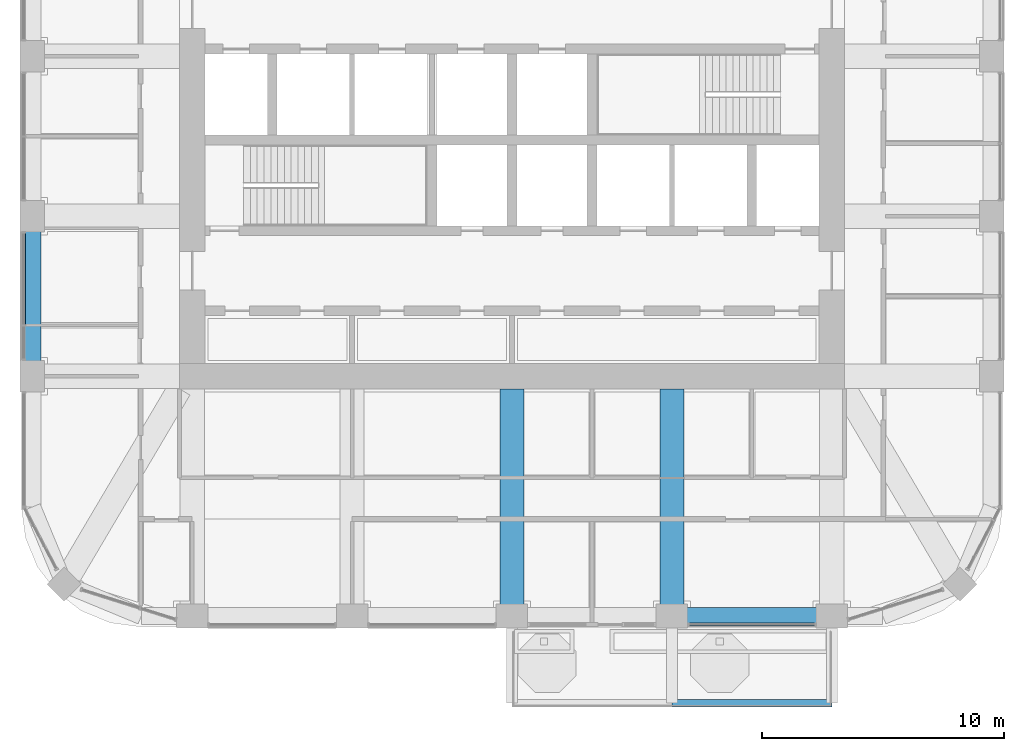
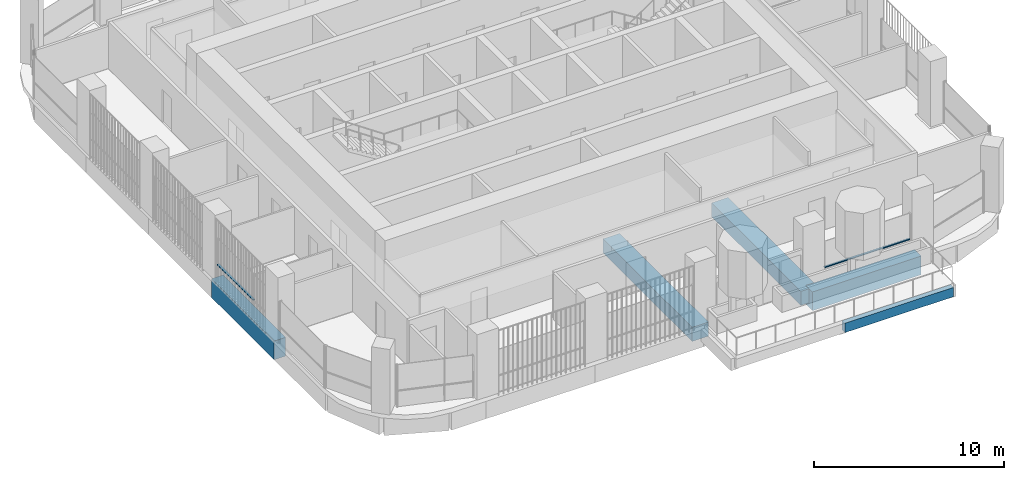
# One storey, part 3 of 21: 5 beams, 2 members, 2 elements without a shape of their own.
"""IFC4 building model written with IfcOpenShell, lengths in metres."""

import ifcopenshell
import ifcopenshell.guid

model = None  # the IFC model being written
_history = None  # IfcOwnerHistory: only IFC2X3 demands one
_inside = {}  # id of a spatial element -> (the spatial element, [elements in it])
_under = {}  # id of a project, library or spatial element -> (it, [spatial elements below it])
_declared = {}  # id of a project -> (the project, [libraries it declares])
_typed = {}  # id of a type object -> (the type object, [elements of that type])
_made_of = {}  # id of a material, layer set ... -> (it, [elements and type objects made of it])


def new_model(schema):
    """Start an empty IFC model of exactly this schema.

    Asked for "IFC4X3", IfcOpenShell would pick the latest addendum, in which some entities
    have other attributes; the version numbers below select the first issue.
    IFC2X3 requires an IfcOwnerHistory on every rooted entity: one is made here for all.
    """
    global model, _history
    if schema == "IFC4X3":
        model = ifcopenshell.file(schema_version=(4, 3, 0, 0))
    else:
        model = ifcopenshell.file(schema=schema)
    _inside.clear()
    _under.clear()
    _declared.clear()
    _typed.clear()
    _made_of.clear()
    _history = None
    if model.schema == "IFC2X3":
        org = make("IfcOrganization", Name="unknown")
        user = make(
            "IfcPersonAndOrganization",
            ThePerson=make("IfcPerson", FamilyName="unknown"),
            TheOrganization=org,
        )
        app = make(
            "IfcApplication",
            ApplicationDeveloper=org,
            Version="unknown",
            ApplicationFullName="unknown",
            ApplicationIdentifier="unknown",
        )
        _history = make(
            "IfcOwnerHistory",
            OwningUser=user,
            OwningApplication=app,
            ChangeAction="ADDED",
            CreationDate=0,
        )
    return model


def make(cls, **values):
    """One entity of the class cls with the attributes given. An attribute that is None is left unset."""
    return model.create_entity(
        cls, **{name: value for name, value in values.items() if value is not None}
    )


def rooted(cls, **values):
    """An entity with a GlobalId (a new one), such as an element, a storey or a relation."""
    return make(cls, GlobalId=ifcopenshell.guid.new(), OwnerHistory=_history, **values)


def si_unit(unit_type, name, prefix=None):
    """IfcSIUnit, for example si_unit("LENGTHUNIT", "METRE", prefix="MILLI")."""
    return make("IfcSIUnit", UnitType=unit_type, Prefix=prefix, Name=name)


def assignment(units):
    """IfcUnitAssignment: the units of a project."""
    return None if units is None else make("IfcUnitAssignment", Units=units)


def point(xyz):
    """IfcCartesianPoint."""
    return None if xyz is None else make("IfcCartesianPoint", Coordinates=xyz)


def direction(xyz):
    """IfcDirection."""
    return None if xyz is None else make("IfcDirection", DirectionRatios=xyz)


def frame(location, z_axis=None, x_axis=None):
    """IfcAxis2Placement3D, a coordinate frame: its origin and axes. An axis left out is left unset."""
    return make(
        "IfcAxis2Placement3D",
        Location=point(location),
        Axis=direction(z_axis),
        RefDirection=direction(x_axis),
    )


def frame_2d(location, x_axis=None):
    """IfcAxis2Placement2D, a coordinate frame in the plane: its origin and x axis."""
    return make(
        "IfcAxis2Placement2D", Location=point(location), RefDirection=direction(x_axis)
    )


def origin():
    """The frame at (0, 0, 0) with its axes left unset."""
    return frame((0.0, 0.0, 0.0))


def origin_2d():
    """The frame at (0, 0) in the plane with its x axis left unset."""
    return frame_2d((0.0, 0.0))


def place(relative_to, where):
    """IfcLocalPlacement: puts the frame where relative to a parent placement (None: the world)."""
    return make(
        "IfcLocalPlacement", PlacementRelTo=relative_to, RelativePlacement=where
    )


def context(
    kind, dimensions, precision=None, world=None, true_north=None, identifier=None
):
    """IfcGeometricRepresentationContext, for example the 3D "Model" context."""
    return make(
        "IfcGeometricRepresentationContext",
        ContextIdentifier=identifier,
        ContextType=kind,
        CoordinateSpaceDimension=dimensions,
        Precision=precision,
        WorldCoordinateSystem=world,
        TrueNorth=true_north,
    )


def subcontext(parent, identifier, kind, view, scale=None):
    """IfcGeometricRepresentationSubContext, for example "Body" below "Model"."""
    return make(
        "IfcGeometricRepresentationSubContext",
        ContextIdentifier=identifier,
        ContextType=kind,
        ParentContext=parent,
        TargetScale=scale,
        TargetView=view,
    )


def project(units=None, contexts=None):
    """IfcProject with its units and contexts."""
    return rooted(
        "IfcProject",
        Name="project",
        RepresentationContexts=contexts,
        UnitsInContext=assignment(units),
    )


def spatial(cls, under=None, at=None, **own):
    """A site, building, storey or space (cls), placed at a placement, below another one or the project."""
    s = rooted(cls, ObjectPlacement=at, **own)
    if under is not None:
        _under.setdefault(under.id(), (under, []))[1].append(s)
    return s


def profile(cls, at=None, kind="AREA", **sizes):
    """A parametric profile (cls). Its sizes go by their IFC names, for example OverallWidth=200.0."""
    return make(cls, ProfileType=kind, Position=at, **sizes)


def rectangle(**sizes):
    """IfcRectangleProfileDef."""
    return profile("IfcRectangleProfileDef", **sizes)


def extrude(swept, where, along, depth):
    """IfcExtrudedAreaSolid: the profile swept, set in the frame where, extruded along a direction by depth."""
    return make(
        "IfcExtrudedAreaSolid",
        SweptArea=swept,
        Position=where,
        ExtrudedDirection=direction(along),
        Depth=depth,
    )


def shape(context_of_items, identifier, shape_type, items):
    """IfcShapeRepresentation: the items that make up one representation, for example the "Body"."""
    return make(
        "IfcShapeRepresentation",
        ContextOfItems=context_of_items,
        RepresentationIdentifier=identifier,
        RepresentationType=shape_type,
        Items=items,
    )


def material(Name=None, Category=None):
    """IfcMaterial."""
    return make("IfcMaterial", Name=Name, Category=Category)


def material_profile(
    of_material, cross_section, Name=None, Category=None, Priority=None
):
    """IfcMaterialProfile: a cross section and its material."""
    return make(
        "IfcMaterialProfile",
        Name=Name,
        Material=of_material,
        Profile=cross_section,
        Priority=Priority,
        Category=Category,
    )


def profile_set(profiles, Name=None, composite=None):
    """IfcMaterialProfileSet."""
    return make(
        "IfcMaterialProfileSet",
        Name=Name,
        MaterialProfiles=profiles,
        CompositeProfile=composite,
    )


def made_of(thing, what):
    """Note that an element or type object is made of a material, layer set ...; save() writes the relation."""
    if what is not None:
        _made_of.setdefault(what.id(), (what, []))[1].append(thing)
    return thing


def type_object(cls, material=None, **own):
    """A type object (cls), such as IfcWallType, which elements share."""
    return made_of(rooted(cls, **own), material)


def element(
    cls,
    number,
    at=None,
    inside=None,
    cuts=None,
    type_object=None,
    material=None,
    context=None,
    identifier="Body",
    shape_type=None,
    held_by="IfcProductDefinitionShape",
    body=None,
    shapes=None,
    **own,
):
    """One element of the class cls, such as IfcWall. Its Tag is "e" and its number.

    at: its placement. inside: the storey or other place that contains it. cuts: it is an
    opening in that element (IfcRelVoidsElement). A single representation is given by context,
    identifier, shape_type and body (its items); several are given by shapes. held_by: the class
    of the entity that holds the representations. save() writes the other relations.
    """
    e = rooted(cls, Tag="e%d" % number, ObjectPlacement=at, **own)
    if body is not None:
        shapes = [shape(context, identifier, shape_type, body)]
    if shapes is not None:
        e.Representation = make(held_by, Representations=shapes)
    if inside is not None:
        _inside.setdefault(inside.id(), (inside, []))[1].append(e)
    if cuts is not None:
        rooted(
            "IfcRelVoidsElement", RelatingBuildingElement=cuts, RelatedOpeningElement=e
        )
    if type_object is not None:
        _typed.setdefault(type_object.id(), (type_object, []))[1].append(e)
    return made_of(e, material)


def aggregate(whole, parts):
    """IfcRelAggregates: a whole, such as a stair, and the parts it consists of."""
    return rooted("IfcRelAggregates", RelatingObject=whole, RelatedObjects=parts)


def save(model, path):
    """Write the relations noted so far, then the file.

    IfcRelAggregates (storeys below a building ...), IfcRelContainedInSpatialStructure (elements
    in a storey), IfcRelDefinesByType, IfcRelAssociatesMaterial and IfcRelDeclares: one each for
    every whole, place, type object, material and project.
    """
    for whole, parts in _under.values():
        aggregate(whole, parts)
    for where, things in _inside.values():
        rooted(
            "IfcRelContainedInSpatialStructure",
            RelatedElements=things,
            RelatingStructure=where,
        )
    for kind, things in _typed.values():
        rooted("IfcRelDefinesByType", RelatedObjects=things, RelatingType=kind)
    for what, things in _made_of.values():
        rooted("IfcRelAssociatesMaterial", RelatedObjects=things, RelatingMaterial=what)
    for by, libraries in _declared.values():
        rooted("IfcRelDeclares", RelatingContext=by, RelatedDefinitions=libraries)
    model.write(path)


model = new_model("IFC4")

# Units and contexts
model_context = context("Model", 3, precision=1e-05, world=origin(), true_north=direction((0.0, 1.0)))
body_context = subcontext(model_context, "Body", "Model", "MODEL_VIEW")
ifc_project = project(units=[si_unit("LENGTHUNIT", "METRE"), si_unit("AREAUNIT", "SQUARE_METRE"), si_unit("VOLUMEUNIT", "CUBIC_METRE"), si_unit("PLANEANGLEUNIT", "RADIAN"), si_unit("MASSUNIT", "GRAM", prefix="KILO")], contexts=[model_context])

# Site, building, storey
site_placement = place(None, origin())
site = spatial("IfcSite", under=ifc_project, at=site_placement, CompositionType="ELEMENT")
building_placement = place(site_placement, origin())
building = spatial("IfcBuilding", under=site, at=building_placement, Name="Cobogo Forest Laboratory Tower", CompositionType="ELEMENT")
storey_placement = place(building_placement, frame((0.0, 0.0, 250.199951171875)))
storey = spatial("IfcBuildingStorey", under=building, at=storey_placement, Name="L57", CompositionType="ELEMENT", Elevation=250.199951171875)

# Beams
ifc_material_1 = material(Name="Concrete HA-40 (C40/50)", Category="concrete")
ifc_material_profile_1 = material_profile(ifc_material_1, rectangle(XDim=0.300048828125, YDim=0.60009765625, at=origin_2d()), Name="RC 300x600")
ifc_profile_set_1 = profile_set([ifc_material_profile_1], Name="Concrete HA-40 (C40/50)")
beam_type_1 = type_object("IfcBeamType", Name="Balcony edge beam 300x600", PredefinedType="BEAM", material=ifc_profile_set_1)
beam_placement = place(storey_placement, frame((33.0, -0.300048828125, -0.550048828125), z_axis=(1.0, 0.0, 0.0), x_axis=(0.0, 1.0, 0.0)))
element("IfcBeam", 1, at=beam_placement, inside=storey, type_object=beam_type_1, Name="BB1 BAL-S1-T2 L57", PredefinedType="BEAM", context=body_context, shape_type="SweptSolid", body=[
    extrude(rectangle(XDim=0.300048828125, YDim=0.60009765625, at=origin_2d()), origin(), (0.0, 0.0, 1.0), 6.60009765625),
])
ifc_material_profile_2 = material_profile(ifc_material_1, rectangle(XDim=1.0, YDim=0.89990234375, at=origin_2d()), Name="RC 1000x900")
ifc_profile_set_2 = profile_set([ifc_material_profile_2], Name="Concrete HA-40 (C40/50)")
beam_type_2 = type_object("IfcBeamType", Name="Office floor wide beam 1000x900", PredefinedType="BEAM", material=ifc_profile_set_2)
for number, where, z_axis, x_axis, name in (
    (2, (26.39990234375, 12.675048828125, -0.75), (0.0, -1.0, 0.0), (1.0, 0.0, 0.0), "RB2 R-5-S L57"),
    (3, (33.0, 12.675048828125, -0.75), (0.0, -1.0, 0.0), (1.0, 0.0, 0.0), "RB2 R-6-S L57"),
):
    element("IfcBeam", number, at=place(storey_placement, frame(where, z_axis=z_axis, x_axis=x_axis)), inside=storey, type_object=beam_type_2, Name=name, PredefinedType="BEAM", context=body_context, shape_type="SweptSolid", body=[
        extrude(rectangle(XDim=1.0, YDim=0.89990234375, at=origin_2d()), origin(), (0.0, 0.0, 1.0), 9.375),
    ])
ifc_material_profile_3 = material_profile(ifc_material_1, rectangle(XDim=0.699951171875, YDim=1.199951171875, at=origin_2d()), Name="RC 700x1200")
ifc_profile_set_3 = profile_set([ifc_material_profile_3], Name="Concrete HA-40 (C40/50)")
beam_type_3 = type_object("IfcBeamType", Name="Perimeter edge beam 700x1200", PredefinedType="BEAM", material=ifc_profile_set_3)
for number, where, z_axis, x_axis, name in (
    (4, (33.0, 3.300048828125, -0.89990234375), (1.0, 0.0, 0.0), (0.0, 1.0, 0.0), "EB1 E-S4 L57"),
    (5, (6.60009765625, 13.199951171875, -0.89990234375), (0.0, 1.0, 0.0), (-1.0, 0.0, 0.0), "EB1 E-W1 L57"),
):
    element("IfcBeam", number, at=place(storey_placement, frame(where, z_axis=z_axis, x_axis=x_axis)), inside=storey, type_object=beam_type_3, Name=name, PredefinedType="BEAM", context=body_context, shape_type="SweptSolid", body=[
        extrude(rectangle(XDim=0.699951171875, YDim=1.199951171875, at=origin_2d()), origin(), (0.0, 0.0, 1.0), 6.60009765625),
    ])

# Curtain wall, member
ifc_material_2 = material(Name="Aluminium curtain wall", Category="aluminium")
curtain_wall_type = type_object("IfcCurtainWallType", Name="CW-2 unitised curtain wall, solar control glazing, laboratory floors zones C and D", PredefinedType="USERDEFINED", material=ifc_material_2)
curtain_wall_1_placement = place(storey_placement, origin())
curtain_wall_1 = element("IfcCurtainWall", 6, at=curtain_wall_1_placement, inside=storey, type_object=curtain_wall_type, Name="Curtain wall 04 L57", ObjectType="UNITISED CURTAIN WALL", PredefinedType="USERDEFINED")
ifc_material_3 = material(Name="Aluminium transom", Category="aluminium")
ifc_material_profile_4 = material_profile(ifc_material_3, rectangle(XDim=0.1201171875, YDim=0.06005859375, at=origin_2d()), Name="AL 60x120")
ifc_profile_set_4 = profile_set([ifc_material_profile_4], Name="Aluminium transom")
member_type = type_object("IfcMemberType", Name="TR-1 aluminium transom 60x120", PredefinedType="USERDEFINED", material=ifc_profile_set_4)
member_1_placement = place(storey_placement, frame((33.7099609375, 2.949951171875, 1.050048828125), z_axis=(1.0, 0.0, 0.0), x_axis=(0.0, 1.0, 0.0)))
member_1 = element("IfcMember", 7, at=member_1_placement, type_object=member_type, Name="CW-2 transom 1.1", ObjectType="TRANSOM", PredefinedType="USERDEFINED", context=body_context, shape_type="SweptSolid", body=[
    extrude(rectangle(XDim=0.1201171875, YDim=0.06005859375, at=origin_2d()), origin(), (0.0, 0.0, 1.0), 5.179931640625),
])
aggregate(curtain_wall_1, [member_1])

curtain_wall_2_placement = place(storey_placement, origin())
curtain_wall_2 = element("IfcCurtainWall", 8, at=curtain_wall_2_placement, inside=storey, type_object=curtain_wall_type, Name="Curtain wall 23 L57", ObjectType="UNITISED CURTAIN WALL", PredefinedType="USERDEFINED")
member_2_placement = place(storey_placement, frame((6.25, 19.090087890625, 1.050048828125), z_axis=(0.0, -1.0, 0.0), x_axis=(1.0, 0.0, 0.0)))
member_2 = element("IfcMember", 9, at=member_2_placement, type_object=member_type, Name="CW-2 transom 1.1", ObjectType="TRANSOM", PredefinedType="USERDEFINED", context=body_context, shape_type="SweptSolid", body=[
    extrude(rectangle(XDim=0.1201171875, YDim=0.06005859375, at=origin_2d()), origin(), (0.0, 0.0, 1.0), 3.760009765625),
])
aggregate(curtain_wall_2, [member_2])

save(model, "model.ifc")
